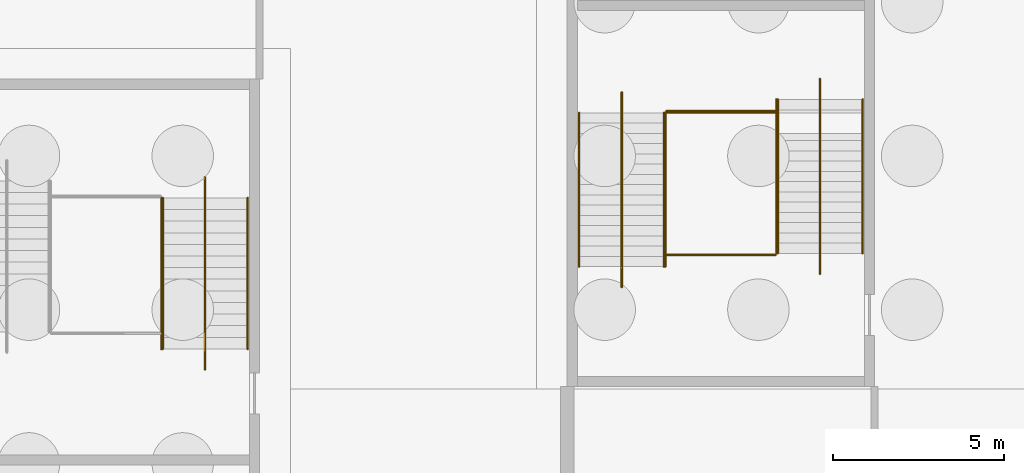
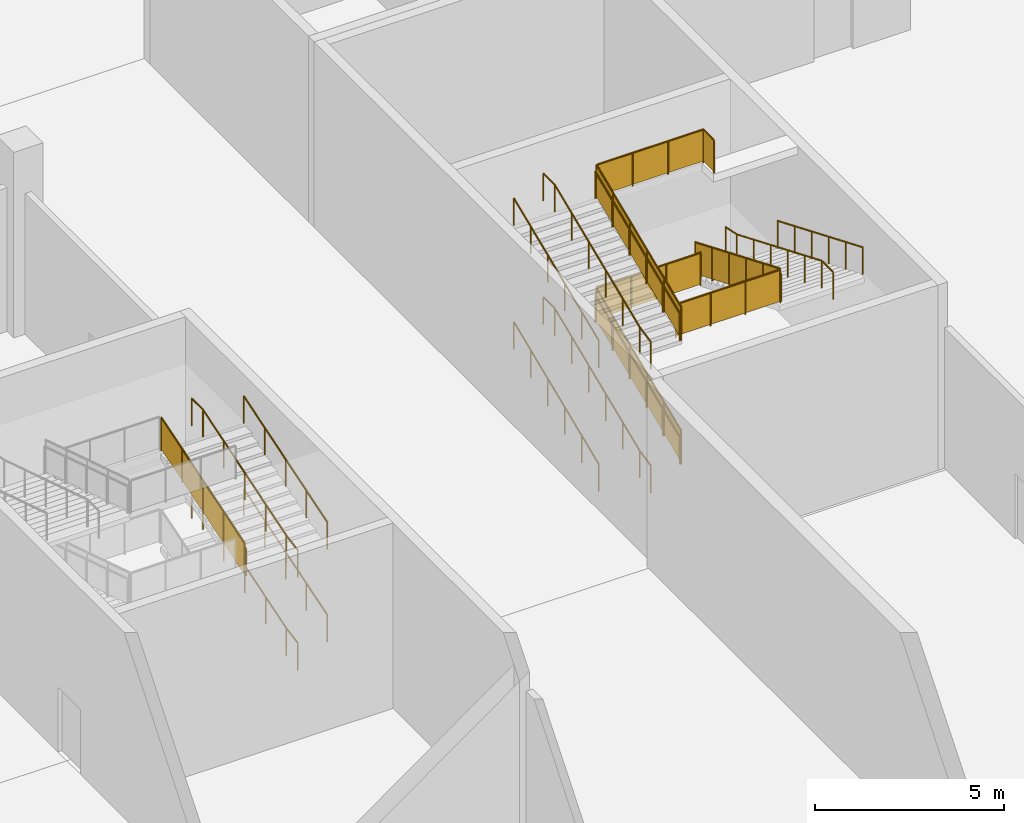
# One storey, part 31 of 42: 21 railings.
"""IFC4 building model written with IfcOpenShell, lengths in metres."""

from ifc_helpers import new_model, si_unit, direction, frame, origin, origin_2d, place, context, subcontext, project, spatial, polyline, circle, outline, extrude, material, type_object, element, save


model = new_model("IFC4")

# Units and contexts
model_context = context("Model", 3, precision=1e-05, world=origin(), true_north=direction((0.0, 1.0)))
body_context = subcontext(model_context, "Body", "Model", "MODEL_VIEW")
ifc_project = project(units=[si_unit("LENGTHUNIT", "METRE"), si_unit("AREAUNIT", "SQUARE_METRE"), si_unit("VOLUMEUNIT", "CUBIC_METRE"), si_unit("PLANEANGLEUNIT", "RADIAN"), si_unit("MASSUNIT", "GRAM", prefix="KILO")], contexts=[model_context])

# Site, building, storey
site_placement = place(None, origin())
site = spatial("IfcSite", under=ifc_project, at=site_placement, CompositionType="ELEMENT")
building_placement = place(site_placement, origin())
building = spatial("IfcBuilding", under=site, at=building_placement, Name="Silverbay Arena", CompositionType="ELEMENT")
storey_placement = place(building_placement, frame((0.0, 0.0, -6.0)))
storey = spatial("IfcBuildingStorey", under=building, at=storey_placement, Name="B1", CompositionType="ELEMENT", Elevation=-6.0)

# Railings
ifc_material_1 = material(Name="Stainless steel", Category="steel")
railing_type_1 = type_object("IfcRailingType", Name="Stair guard 1100", PredefinedType="GUARDRAIL", material=ifc_material_1)
railing_1_placement = place(storey_placement, frame((60.125, 100.100830078125, 3.107177734375)))
element("IfcRailing", 1, at=railing_1_placement, inside=storey, type_object=railing_type_1, Name="Stair ST-W2 B1 to L00 flight 3 guard right", PredefinedType="GUARDRAIL", context=body_context, shape_type="SweptSolid", body=[
    extrude(circle(Radius=0.02392578125, at=origin_2d()), frame((0.0, 0.0, 1.076171875), z_axis=(0.0, 0.953769580967, 0.300538826811), x_axis=(-1.0, 0.0, 0.0)), (0.0, 0.0, 1.0), 4.634521484375),
    extrude(outline(polyline([(-0.008056640625, 0.04736328125), (1.113037109375, 0.400634765625), (1.113037109375, 1.40380859375), (-0.008056640625, 1.050537109375), (-0.008056640625, 0.04736328125)])), frame((-0.0029296875, 0.0, 0.0), z_axis=(1.0, 0.0, 0.0), x_axis=(0.0, 1.0, 0.0)), (0.0, 0.0, 1.0), 0.006103515625),
    extrude(outline(polyline([(-0.008056640625, 0.395751953125), (1.113037109375, 0.7490234375), (1.113037109375, 1.751953125), (-0.008056640625, 1.398681640625), (-0.008056640625, 0.395751953125)])), frame((-0.0029296875, 1.10498046875, 0.0), z_axis=(1.0, 0.0, 0.0), x_axis=(0.0, 1.0, 0.0)), (0.0, 0.0, 1.0), 0.006103515625),
    extrude(outline(polyline([(-0.008056640625, 0.743896484375), (1.113037109375, 1.09716796875), (1.113037109375, 2.10009765625), (-0.008056640625, 1.746826171875), (-0.008056640625, 0.743896484375)])), frame((-0.0029296875, 2.2099609375, 0.0), z_axis=(1.0, 0.0, 0.0), x_axis=(0.0, 1.0, 0.0)), (0.0, 0.0, 1.0), 0.006103515625),
    extrude(outline(polyline([(-0.008056640625, 1.092041015625), (1.113037109375, 1.4453125), (1.113037109375, 2.4482421875), (-0.008056640625, 2.09521484375), (-0.008056640625, 1.092041015625)])), frame((-0.0029296875, 3.315185546875, 0.0), z_axis=(1.0, 0.0, 0.0), x_axis=(0.0, 1.0, 0.0)), (0.0, 0.0, 1.0), 0.006103515625),
    extrude(circle(Radius=0.02099609375, at=origin_2d()), origin(), (0.0, 0.0, 1.0), 1.052001953125),
    extrude(circle(Radius=0.02099609375, at=origin_2d()), frame((0.0, 1.10498046875, 0.34814453125)), (0.0, 0.0, 1.0), 1.052001953125),
    extrude(circle(Radius=0.02099609375, at=origin_2d()), frame((0.0, 2.2099609375, 0.6962890625)), (0.0, 0.0, 1.0), 1.052001953125),
    extrude(circle(Radius=0.02099609375, at=origin_2d()), frame((0.0, 3.315185546875, 1.044677734375)), (0.0, 0.0, 1.0), 1.052001953125),
    extrude(circle(Radius=0.02099609375, at=origin_2d()), frame((0.0, 4.420166015625, 1.392822265625)), (0.0, 0.0, 1.0), 1.052001953125),
])
railing_2_placement = place(storey_placement, frame((74.875, 102.510009765625, 0.125)))
element("IfcRailing", 2, at=railing_2_placement, inside=storey, type_object=railing_type_1, Name="Stair ST-NW2 B1 to L00 flight 1 guard left", PredefinedType="GUARDRAIL", context=body_context, shape_type="SweptSolid", body=[
    extrude(circle(Radius=0.02392578125, at=origin_2d()), frame((0.0, 0.0, 1.076171875), z_axis=(0.0, 0.923076923077, 0.384615384615), x_axis=(-1.0, 0.0, 0.0)), (0.0, 0.0, 1.0), 4.875),
    extrude(outline(polyline([(-0.008056640625, 0.046630859375), (0.907958984375, 0.42822265625), (0.907958984375, 1.431396484375), (-0.008056640625, 1.049560546875), (-0.008056640625, 0.046630859375)])), frame((-0.0029296875, 0.0, 0.0), z_axis=(1.0, 0.0, 0.0), x_axis=(0.0, 1.0, 0.0)), (0.0, 0.0, 1.0), 0.006103515625),
    extrude(outline(polyline([(-0.008056640625, 0.421630859375), (0.907958984375, 0.80322265625), (0.907958984375, 1.806396484375), (-0.008056640625, 1.424560546875), (-0.008056640625, 0.421630859375)])), frame((-0.0029296875, 0.89990234375, 0.0), z_axis=(1.0, 0.0, 0.0), x_axis=(0.0, 1.0, 0.0)), (0.0, 0.0, 1.0), 0.006103515625),
    extrude(outline(polyline([(-0.008056640625, 0.796630859375), (0.907958984375, 1.17822265625), (0.907958984375, 2.181396484375), (-0.008056640625, 1.799560546875), (-0.008056640625, 0.796630859375)])), frame((-0.0029296875, 1.800048828125, 0.0), z_axis=(1.0, 0.0, 0.0), x_axis=(0.0, 1.0, 0.0)), (0.0, 0.0, 1.0), 0.006103515625),
    extrude(outline(polyline([(-0.008056640625, 1.171630859375), (0.907958984375, 1.55322265625), (0.907958984375, 2.556396484375), (-0.008056640625, 2.174560546875), (-0.008056640625, 1.171630859375)])), frame((-0.0029296875, 2.699951171875, 0.0), z_axis=(1.0, 0.0, 0.0), x_axis=(0.0, 1.0, 0.0)), (0.0, 0.0, 1.0), 0.006103515625),
    extrude(outline(polyline([(-0.008056640625, 1.546630859375), (0.907958984375, 1.92822265625), (0.907958984375, 2.931396484375), (-0.008056640625, 2.549560546875), (-0.008056640625, 1.546630859375)])), frame((-0.0029296875, 3.60009765625, 0.0), z_axis=(1.0, 0.0, 0.0), x_axis=(0.0, 1.0, 0.0)), (0.0, 0.0, 1.0), 0.006103515625),
    extrude(circle(Radius=0.02099609375, at=origin_2d()), origin(), (0.0, 0.0, 1.0), 1.052001953125),
    extrude(circle(Radius=0.02099609375, at=origin_2d()), frame((0.0, 0.89990234375, 0.375)), (0.0, 0.0, 1.0), 1.052001953125),
    extrude(circle(Radius=0.02099609375, at=origin_2d()), frame((0.0, 1.800048828125, 0.75)), (0.0, 0.0, 1.0), 1.052001953125),
    extrude(circle(Radius=0.02099609375, at=origin_2d()), frame((0.0, 2.699951171875, 1.125)), (0.0, 0.0, 1.0), 1.052001953125),
    extrude(circle(Radius=0.02099609375, at=origin_2d()), frame((0.0, 3.60009765625, 1.5)), (0.0, 0.0, 1.0), 1.052001953125),
    extrude(circle(Radius=0.02099609375, at=origin_2d()), frame((0.0, 4.5, 1.875)), (0.0, 0.0, 1.0), 1.052001953125),
])
railing_3_placement = place(storey_placement, frame((78.125, 107.39990234375, 2.125)))
element("IfcRailing", 3, at=railing_3_placement, inside=storey, type_object=railing_type_1, Name="Stair ST-NW2 B1 to L00 flight 2 guard right", PredefinedType="GUARDRAIL", context=body_context, shape_type="SweptSolid", body=[
    extrude(circle(Radius=0.02392578125, at=origin_2d()), frame((0.0, 0.0, 1.076171875), z_axis=(0.0, -0.923076923077, 0.384615384615), x_axis=(1.0, 0.0, 0.0)), (0.0, 0.0, 1.0), 4.875),
    extrude(outline(polyline([(-0.008056640625, 0.046630859375), (0.907958984375, 0.42822265625), (0.907958984375, 1.431396484375), (-0.008056640625, 1.049560546875), (-0.008056640625, 0.046630859375)])), frame((0.0029296875, 0.0, 0.0), z_axis=(-1.0, 0.0, 0.0), x_axis=(0.0, -1.0, 0.0)), (0.0, 0.0, 1.0), 0.006103515625),
    extrude(outline(polyline([(-0.008056640625, 0.421630859375), (0.907958984375, 0.80322265625), (0.907958984375, 1.806396484375), (-0.008056640625, 1.424560546875), (-0.008056640625, 0.421630859375)])), frame((0.0029296875, -0.89990234375, 0.0), z_axis=(-1.0, 0.0, 0.0), x_axis=(0.0, -1.0, 0.0)), (0.0, 0.0, 1.0), 0.006103515625),
    extrude(outline(polyline([(-0.008056640625, 0.796630859375), (0.907958984375, 1.17822265625), (0.907958984375, 2.181396484375), (-0.008056640625, 1.799560546875), (-0.008056640625, 0.796630859375)])), frame((0.0029296875, -1.800048828125, 0.0), z_axis=(-1.0, 0.0, 0.0), x_axis=(0.0, -1.0, 0.0)), (0.0, 0.0, 1.0), 0.006103515625),
    extrude(outline(polyline([(-0.008056640625, 1.171630859375), (0.907958984375, 1.55322265625), (0.907958984375, 2.556396484375), (-0.008056640625, 2.174560546875), (-0.008056640625, 1.171630859375)])), frame((0.0029296875, -2.699951171875, 0.0), z_axis=(-1.0, 0.0, 0.0), x_axis=(0.0, -1.0, 0.0)), (0.0, 0.0, 1.0), 0.006103515625),
    extrude(outline(polyline([(-0.008056640625, 1.546630859375), (0.907958984375, 1.92822265625), (0.907958984375, 2.931396484375), (-0.008056640625, 2.549560546875), (-0.008056640625, 1.546630859375)])), frame((0.0029296875, -3.60009765625, 0.0), z_axis=(-1.0, 0.0, 0.0), x_axis=(0.0, -1.0, 0.0)), (0.0, 0.0, 1.0), 0.006103515625),
    extrude(circle(Radius=0.02099609375, at=origin_2d()), origin(), (0.0, 0.0, 1.0), 1.052001953125),
    extrude(circle(Radius=0.02099609375, at=origin_2d()), frame((0.0, -0.89990234375, 0.375)), (0.0, 0.0, 1.0), 1.052001953125),
    extrude(circle(Radius=0.02099609375, at=origin_2d()), frame((0.0, -1.800048828125, 0.75)), (0.0, 0.0, 1.0), 1.052001953125),
    extrude(circle(Radius=0.02099609375, at=origin_2d()), frame((0.0, -2.699951171875, 1.125)), (0.0, 0.0, 1.0), 1.052001953125),
    extrude(circle(Radius=0.02099609375, at=origin_2d()), frame((0.0, -3.60009765625, 1.5)), (0.0, 0.0, 1.0), 1.052001953125),
    extrude(circle(Radius=0.02099609375, at=origin_2d()), frame((0.0, -4.5, 1.875)), (0.0, 0.0, 1.0), 1.052001953125),
])
railing_4_placement = place(storey_placement, frame((74.875, 102.510009765625, 4.125)))
element("IfcRailing", 4, at=railing_4_placement, inside=storey, type_object=railing_type_1, Name="Stair ST-NW2 B1 to L00 flight 3 guard left", PredefinedType="GUARDRAIL", context=body_context, shape_type="SweptSolid", body=[
    extrude(circle(Radius=0.02392578125, at=origin_2d()), frame((0.0, 0.0, 1.076171875), z_axis=(0.0, 0.923076923077, 0.384615384615), x_axis=(-1.0, 0.0, 0.0)), (0.0, 0.0, 1.0), 4.875),
    extrude(outline(polyline([(-0.008056640625, 0.046630859375), (0.907958984375, 0.42822265625), (0.907958984375, 1.431396484375), (-0.008056640625, 1.049560546875), (-0.008056640625, 0.046630859375)])), frame((-0.0029296875, 0.0, 0.0), z_axis=(1.0, 0.0, 0.0), x_axis=(0.0, 1.0, 0.0)), (0.0, 0.0, 1.0), 0.006103515625),
    extrude(outline(polyline([(-0.008056640625, 0.421630859375), (0.907958984375, 0.80322265625), (0.907958984375, 1.806396484375), (-0.008056640625, 1.424560546875), (-0.008056640625, 0.421630859375)])), frame((-0.0029296875, 0.89990234375, 0.0), z_axis=(1.0, 0.0, 0.0), x_axis=(0.0, 1.0, 0.0)), (0.0, 0.0, 1.0), 0.006103515625),
    extrude(outline(polyline([(-0.008056640625, 0.796630859375), (0.907958984375, 1.17822265625), (0.907958984375, 2.181396484375), (-0.008056640625, 1.799560546875), (-0.008056640625, 0.796630859375)])), frame((-0.0029296875, 1.800048828125, 0.0), z_axis=(1.0, 0.0, 0.0), x_axis=(0.0, 1.0, 0.0)), (0.0, 0.0, 1.0), 0.006103515625),
    extrude(outline(polyline([(-0.008056640625, 1.171630859375), (0.907958984375, 1.55322265625), (0.907958984375, 2.556396484375), (-0.008056640625, 2.174560546875), (-0.008056640625, 1.171630859375)])), frame((-0.0029296875, 2.699951171875, 0.0), z_axis=(1.0, 0.0, 0.0), x_axis=(0.0, 1.0, 0.0)), (0.0, 0.0, 1.0), 0.006103515625),
    extrude(outline(polyline([(-0.008056640625, 1.546630859375), (0.907958984375, 1.92822265625), (0.907958984375, 2.931396484375), (-0.008056640625, 2.549560546875), (-0.008056640625, 1.546630859375)])), frame((-0.0029296875, 3.60009765625, 0.0), z_axis=(1.0, 0.0, 0.0), x_axis=(0.0, 1.0, 0.0)), (0.0, 0.0, 1.0), 0.006103515625),
    extrude(circle(Radius=0.02099609375, at=origin_2d()), origin(), (0.0, 0.0, 1.0), 1.052001953125),
    extrude(circle(Radius=0.02099609375, at=origin_2d()), frame((0.0, 0.89990234375, 0.375)), (0.0, 0.0, 1.0), 1.052001953125),
    extrude(circle(Radius=0.02099609375, at=origin_2d()), frame((0.0, 1.800048828125, 0.75)), (0.0, 0.0, 1.0), 1.052001953125),
    extrude(circle(Radius=0.02099609375, at=origin_2d()), frame((0.0, 2.699951171875, 1.125)), (0.0, 0.0, 1.0), 1.052001953125),
    extrude(circle(Radius=0.02099609375, at=origin_2d()), frame((0.0, 3.60009765625, 1.5)), (0.0, 0.0, 1.0), 1.052001953125),
    extrude(circle(Radius=0.02099609375, at=origin_2d()), frame((0.0, 4.5, 1.875)), (0.0, 0.0, 1.0), 1.052001953125),
])
for number, where, name in (
    (5, (78.10009765625, 107.06005859375, 2.0), "Stair ST-NW2 B1 to L00 landing 1 guard"),
    (6, (78.10009765625, 102.85009765625, 4.0), "Stair ST-NW2 B1 to L00 landing 2 guard"),
):
    element("IfcRailing", number, at=place(storey_placement, frame(where)), inside=storey, type_object=railing_type_1, Name=name, PredefinedType="GUARDRAIL", context=body_context, shape_type="SweptSolid", body=[
        extrude(circle(Radius=0.02392578125, at=origin_2d()), frame((0.0, 0.0, 1.076171875), z_axis=(-1.0, 0.0, 0.0), x_axis=(0.0, -1.0, 0.0)), (0.0, 0.0, 1.0), 3.2001953125),
        extrude(outline(polyline([(-0.008056640625, 0.050048828125), (1.07470703125, 0.050048828125), (1.07470703125, 1.052978515625), (-0.008056640625, 1.052978515625), (-0.008056640625, 0.050048828125)])), frame((0.0, -0.0029296875, 0.0), z_axis=(0.0, 1.0, 0.0), x_axis=(-1.0, 0.0, 0.0)), (0.0, 0.0, 1.0), 0.006103515625),
        extrude(outline(polyline([(-0.008056640625, 0.050048828125), (1.07470703125, 0.050048828125), (1.07470703125, 1.052978515625), (-0.008056640625, 1.052978515625), (-0.008056640625, 0.050048828125)])), frame((-1.066650390625, -0.0029296875, 0.0), z_axis=(0.0, 1.0, 0.0), x_axis=(-1.0, 0.0, 0.0)), (0.0, 0.0, 1.0), 0.006103515625),
        extrude(outline(polyline([(-0.008056640625, 0.050048828125), (1.07470703125, 0.050048828125), (1.07470703125, 1.052978515625), (-0.008056640625, 1.052978515625), (-0.008056640625, 0.050048828125)])), frame((-2.133544921875, -0.0029296875, 0.0), z_axis=(0.0, 1.0, 0.0), x_axis=(-1.0, 0.0, 0.0)), (0.0, 0.0, 1.0), 0.006103515625),
        extrude(circle(Radius=0.02099609375, at=origin_2d()), origin(), (0.0, 0.0, 1.0), 1.052001953125),
        extrude(circle(Radius=0.02099609375, at=origin_2d()), frame((-1.066650390625, 0.0, 0.0)), (0.0, 0.0, 1.0), 1.052001953125),
        extrude(circle(Radius=0.02099609375, at=origin_2d()), frame((-2.133544921875, 0.0, 0.0)), (0.0, 0.0, 1.0), 1.052001953125),
        extrude(circle(Radius=0.02099609375, at=origin_2d()), frame((-3.2001953125, 0.0, 0.0)), (0.0, 0.0, 1.0), 1.052001953125),
    ])
railing_5_placement = place(storey_placement, frame((78.14990234375, 106.449951171875, 6.0)))
element("IfcRailing", 7, at=railing_5_placement, inside=storey, type_object=railing_type_1, Name="Stair ST-NW2 B1 to L00 landing 3 guard", PredefinedType="GUARDRAIL", context=body_context, shape_type="SweptSolid", body=[
    extrude(circle(Radius=0.02392578125, at=origin_2d()), frame((0.0, 0.0, 1.076171875), z_axis=(0.0, 1.0, 0.0), x_axis=(-1.0, 0.0, 0.0)), (0.0, 0.0, 1.0), 0.56005859375),
    extrude(outline(polyline([(-0.008056640625, 0.050048828125), (0.568115234375, 0.050048828125), (0.568115234375, 1.052978515625), (-0.008056640625, 1.052978515625), (-0.008056640625, 0.050048828125)])), frame((-0.0029296875, 0.0, 0.0), z_axis=(1.0, 0.0, 0.0), x_axis=(0.0, 1.0, 0.0)), (0.0, 0.0, 1.0), 0.006103515625),
    extrude(circle(Radius=0.02392578125, at=origin_2d()), frame((0.0, 0.56005859375, 1.076171875), z_axis=(-1.0, 0.0, 0.0), x_axis=(0.0, -1.0, 0.0)), (0.0, 0.0, 1.0), 3.25),
    extrude(outline(polyline([(-0.008056640625, 0.050048828125), (1.09130859375, 0.050048828125), (1.09130859375, 1.052978515625), (-0.008056640625, 1.052978515625), (-0.008056640625, 0.050048828125)])), frame((0.0, 0.55712890625, 0.0), z_axis=(0.0, 1.0, 0.0), x_axis=(-1.0, 0.0, 0.0)), (0.0, 0.0, 1.0), 0.006103515625),
    extrude(outline(polyline([(-0.008056640625, 0.050048828125), (1.09130859375, 0.050048828125), (1.09130859375, 1.052978515625), (-0.008056640625, 1.052978515625), (-0.008056640625, 0.050048828125)])), frame((-1.083251953125, 0.55712890625, 0.0), z_axis=(0.0, 1.0, 0.0), x_axis=(-1.0, 0.0, 0.0)), (0.0, 0.0, 1.0), 0.006103515625),
    extrude(outline(polyline([(-0.008056640625, 0.050048828125), (1.09130859375, 0.050048828125), (1.09130859375, 1.052978515625), (-0.008056640625, 1.052978515625), (-0.008056640625, 0.050048828125)])), frame((-2.166748046875, 0.55712890625, 0.0), z_axis=(0.0, 1.0, 0.0), x_axis=(-1.0, 0.0, 0.0)), (0.0, 0.0, 1.0), 0.006103515625),
    extrude(circle(Radius=0.02099609375, at=origin_2d()), origin(), (0.0, 0.0, 1.0), 1.052001953125),
    extrude(circle(Radius=0.02099609375, at=origin_2d()), frame((0.0, 0.56005859375, 0.0)), (0.0, 0.0, 1.0), 1.052001953125),
    extrude(circle(Radius=0.02099609375, at=origin_2d()), frame((-1.083251953125, 0.56005859375, 0.0)), (0.0, 0.0, 1.0), 1.052001953125),
    extrude(circle(Radius=0.02099609375, at=origin_2d()), frame((-2.166748046875, 0.56005859375, 0.0)), (0.0, 0.0, 1.0), 1.052001953125),
    extrude(circle(Radius=0.02099609375, at=origin_2d()), frame((-3.25, 0.56005859375, 0.0)), (0.0, 0.0, 1.0), 1.052001953125),
])
ifc_material_2 = material(Name="Stainless steel", Category="steel")
railing_type_2 = type_object("IfcRailingType", Name="Stair handrail 900", PredefinedType="HANDRAIL", material=ifc_material_2)
railing_6_placement = place(storey_placement, frame((62.64990234375, 100.100830078125, 0.107177734375)))
element("IfcRailing", 8, at=railing_6_placement, inside=storey, type_object=railing_type_2, Name="Stair ST-W2 B1 to L00 flight 1 handrail left", PredefinedType="HANDRAIL", context=body_context, shape_type="SweptSolid", body=[
    extrude(circle(Radius=0.02392578125, at=origin_2d()), frame((0.0, 0.0, 0.8759765625), z_axis=(0.0, 0.953769580967, 0.300538826811), x_axis=(-1.0, 0.0, 0.0)), (0.0, 0.0, 1.0), 4.634521484375),
    extrude(circle(Radius=0.02099609375, at=origin_2d()), origin(), (0.0, 0.0, 1.0), 0.851806640625),
    extrude(circle(Radius=0.02099609375, at=origin_2d()), frame((0.0, 1.10498046875, 0.34814453125)), (0.0, 0.0, 1.0), 0.851806640625),
    extrude(circle(Radius=0.02099609375, at=origin_2d()), frame((0.0, 2.2099609375, 0.6962890625)), (0.0, 0.0, 1.0), 0.851806640625),
    extrude(circle(Radius=0.02099609375, at=origin_2d()), frame((0.0, 3.315185546875, 1.044677734375)), (0.0, 0.0, 1.0), 0.851806640625),
    extrude(circle(Radius=0.02099609375, at=origin_2d()), frame((0.0, 4.420166015625, 1.392822265625)), (0.0, 0.0, 1.0), 0.851806640625),
])
railing_7_placement = place(storey_placement, frame((61.39990234375, 99.5009765625, 0.0)))
element("IfcRailing", 9, at=railing_7_placement, inside=storey, type_object=railing_type_2, Name="Stair ST-W2 B1 to L00 flight 1 central handrail", PredefinedType="HANDRAIL", context=body_context, shape_type="SweptSolid", body=[
    extrude(circle(Radius=0.02392578125, at=origin_2d()), frame((0.0, 0.0, 0.8759765625), z_axis=(0.0, 0.984410237054, 0.175887706173), x_axis=(-1.0, 0.0, 0.0)), (0.0, 0.0, 1.0), 0.609375),
    extrude(circle(Radius=0.02392578125, at=origin_2d()), frame((0.0, 0.599853515625, 0.98291015625), z_axis=(0.0, 0.953769580967, 0.300538826811), x_axis=(-1.0, 0.0, 0.0)), (0.0, 0.0, 1.0), 4.634521484375),
    extrude(circle(Radius=0.02392578125, at=origin_2d()), frame((0.0, 5.02001953125, 2.3759765625), z_axis=(0.0, 1.0, 0.0), x_axis=(-1.0, 0.0, 0.0)), (0.0, 0.0, 1.0), 0.599853515625),
    extrude(circle(Radius=0.02099609375, at=origin_2d()), origin(), (0.0, 0.0, 1.0), 0.851806640625),
    extrude(circle(Radius=0.02099609375, at=origin_2d()), frame((0.0, 0.599853515625, 0.107177734375)), (0.0, 0.0, 1.0), 0.851806640625),
    extrude(circle(Radius=0.02099609375, at=origin_2d()), frame((0.0, 1.704833984375, 0.455322265625)), (0.0, 0.0, 1.0), 0.851806640625),
    extrude(circle(Radius=0.02099609375, at=origin_2d()), frame((0.0, 2.81005859375, 0.8037109375)), (0.0, 0.0, 1.0), 0.851806640625),
    extrude(circle(Radius=0.02099609375, at=origin_2d()), frame((0.0, 3.9150390625, 1.15185546875)), (0.0, 0.0, 1.0), 0.851806640625),
    extrude(circle(Radius=0.02099609375, at=origin_2d()), frame((0.0, 5.02001953125, 1.5)), (0.0, 0.0, 1.0), 0.851806640625),
    extrude(circle(Radius=0.02099609375, at=origin_2d()), frame((0.0, 5.619873046875, 1.5)), (0.0, 0.0, 1.0), 0.851806640625),
])
for number, where, name in (
    (10, (62.64990234375, 100.100830078125, 3.107177734375), "Stair ST-W2 B1 to L00 flight 3 handrail left"),
    (11, (60.1640625, 100.100830078125, 3.107177734375), "Stair ST-W2 B1 to L00 flight 3 handrail right"),
):
    element("IfcRailing", number, at=place(storey_placement, frame(where)), inside=storey, type_object=railing_type_2, Name=name, PredefinedType="HANDRAIL", context=body_context, shape_type="SweptSolid", body=[
        extrude(circle(Radius=0.02392578125, at=origin_2d()), frame((0.0, 0.0, 0.8759765625), z_axis=(0.0, 0.953769580967, 0.300538826811), x_axis=(-1.0, 0.0, 0.0)), (0.0, 0.0, 1.0), 4.634521484375),
        extrude(circle(Radius=0.02099609375, at=origin_2d()), origin(), (0.0, 0.0, 1.0), 0.851806640625),
        extrude(circle(Radius=0.02099609375, at=origin_2d()), frame((0.0, 1.10498046875, 0.34814453125)), (0.0, 0.0, 1.0), 0.851806640625),
        extrude(circle(Radius=0.02099609375, at=origin_2d()), frame((0.0, 2.2099609375, 0.6962890625)), (0.0, 0.0, 1.0), 0.851806640625),
        extrude(circle(Radius=0.02099609375, at=origin_2d()), frame((0.0, 3.315185546875, 1.044677734375)), (0.0, 0.0, 1.0), 0.851806640625),
        extrude(circle(Radius=0.02099609375, at=origin_2d()), frame((0.0, 4.420166015625, 1.392822265625)), (0.0, 0.0, 1.0), 0.851806640625),
    ])
railing_8_placement = place(storey_placement, frame((61.39990234375, 99.5009765625, 3.0)))
element("IfcRailing", 12, at=railing_8_placement, inside=storey, type_object=railing_type_2, Name="Stair ST-W2 B1 to L00 flight 3 central handrail", PredefinedType="HANDRAIL", context=body_context, shape_type="SweptSolid", body=[
    extrude(circle(Radius=0.02392578125, at=origin_2d()), frame((0.0, 0.0, 0.8759765625), z_axis=(0.0, 0.984410237054, 0.175887706173), x_axis=(-1.0, 0.0, 0.0)), (0.0, 0.0, 1.0), 0.609375),
    extrude(circle(Radius=0.02392578125, at=origin_2d()), frame((0.0, 0.599853515625, 0.98291015625), z_axis=(0.0, 0.953769580967, 0.300538826811), x_axis=(-1.0, 0.0, 0.0)), (0.0, 0.0, 1.0), 4.634521484375),
    extrude(circle(Radius=0.02392578125, at=origin_2d()), frame((0.0, 5.02001953125, 2.3759765625), z_axis=(0.0, 1.0, 0.0), x_axis=(-1.0, 0.0, 0.0)), (0.0, 0.0, 1.0), 0.599853515625),
    extrude(circle(Radius=0.02099609375, at=origin_2d()), origin(), (0.0, 0.0, 1.0), 0.851806640625),
    extrude(circle(Radius=0.02099609375, at=origin_2d()), frame((0.0, 0.599853515625, 0.107177734375)), (0.0, 0.0, 1.0), 0.851806640625),
    extrude(circle(Radius=0.02099609375, at=origin_2d()), frame((0.0, 1.704833984375, 0.455322265625)), (0.0, 0.0, 1.0), 0.851806640625),
    extrude(circle(Radius=0.02099609375, at=origin_2d()), frame((0.0, 2.81005859375, 0.8037109375)), (0.0, 0.0, 1.0), 0.851806640625),
    extrude(circle(Radius=0.02099609375, at=origin_2d()), frame((0.0, 3.9150390625, 1.15185546875)), (0.0, 0.0, 1.0), 0.851806640625),
    extrude(circle(Radius=0.02099609375, at=origin_2d()), frame((0.0, 5.02001953125, 1.5)), (0.0, 0.0, 1.0), 0.851806640625),
    extrude(circle(Radius=0.02099609375, at=origin_2d()), frame((0.0, 5.619873046875, 1.5)), (0.0, 0.0, 1.0), 0.851806640625),
])
for number, where, name in (
    (13, (74.8359375, 102.510009765625, 0.125), "Stair ST-NW2 B1 to L00 flight 1 handrail left"),
    (14, (72.35009765625, 102.510009765625, 0.125), "Stair ST-NW2 B1 to L00 flight 1 handrail right"),
):
    element("IfcRailing", number, at=place(storey_placement, frame(where)), inside=storey, type_object=railing_type_2, Name=name, PredefinedType="HANDRAIL", context=body_context, shape_type="SweptSolid", body=[
        extrude(circle(Radius=0.02392578125, at=origin_2d()), frame((0.0, 0.0, 0.8759765625), z_axis=(0.0, 0.923076923077, 0.384615384615), x_axis=(-1.0, 0.0, 0.0)), (0.0, 0.0, 1.0), 4.875),
        extrude(circle(Radius=0.02099609375, at=origin_2d()), origin(), (0.0, 0.0, 1.0), 0.851806640625),
        extrude(circle(Radius=0.02099609375, at=origin_2d()), frame((0.0, 0.89990234375, 0.375)), (0.0, 0.0, 1.0), 0.851806640625),
        extrude(circle(Radius=0.02099609375, at=origin_2d()), frame((0.0, 1.800048828125, 0.75)), (0.0, 0.0, 1.0), 0.851806640625),
        extrude(circle(Radius=0.02099609375, at=origin_2d()), frame((0.0, 2.699951171875, 1.125)), (0.0, 0.0, 1.0), 0.851806640625),
        extrude(circle(Radius=0.02099609375, at=origin_2d()), frame((0.0, 3.60009765625, 1.5)), (0.0, 0.0, 1.0), 0.851806640625),
        extrude(circle(Radius=0.02099609375, at=origin_2d()), frame((0.0, 4.5, 1.875)), (0.0, 0.0, 1.0), 0.851806640625),
    ])
railing_9_placement = place(storey_placement, frame((73.60009765625, 101.909912109375, 0.0)))
element("IfcRailing", 15, at=railing_9_placement, inside=storey, type_object=railing_type_2, Name="Stair ST-NW2 B1 to L00 flight 1 central handrail", PredefinedType="HANDRAIL", context=body_context, shape_type="SweptSolid", body=[
    extrude(circle(Radius=0.02392578125, at=origin_2d()), frame((0.0, 0.0, 0.8759765625), z_axis=(0.0, 0.978987046276, 0.203922444139), x_axis=(-1.0, 0.0, 0.0)), (0.0, 0.0, 1.0), 0.613037109375),
    extrude(circle(Radius=0.02392578125, at=origin_2d()), frame((0.0, 0.60009765625, 1.0009765625), z_axis=(0.0, 0.923076923077, 0.384615384615), x_axis=(-1.0, 0.0, 0.0)), (0.0, 0.0, 1.0), 4.875),
    extrude(circle(Radius=0.02392578125, at=origin_2d()), frame((0.0, 5.10009765625, 2.8759765625), z_axis=(0.0, 1.0, 0.0), x_axis=(-1.0, 0.0, 0.0)), (0.0, 0.0, 1.0), 0.60009765625),
    extrude(circle(Radius=0.02099609375, at=origin_2d()), origin(), (0.0, 0.0, 1.0), 0.851806640625),
    extrude(circle(Radius=0.02099609375, at=origin_2d()), frame((0.0, 0.60009765625, 0.125)), (0.0, 0.0, 1.0), 0.851806640625),
    extrude(circle(Radius=0.02099609375, at=origin_2d()), frame((0.0, 1.5, 0.5)), (0.0, 0.0, 1.0), 0.851806640625),
    extrude(circle(Radius=0.02099609375, at=origin_2d()), frame((0.0, 2.400146484375, 0.875)), (0.0, 0.0, 1.0), 0.851806640625),
    extrude(circle(Radius=0.02099609375, at=origin_2d()), frame((0.0, 3.300048828125, 1.25)), (0.0, 0.0, 1.0), 0.851806640625),
    extrude(circle(Radius=0.02099609375, at=origin_2d()), frame((0.0, 4.2001953125, 1.625)), (0.0, 0.0, 1.0), 0.851806640625),
    extrude(circle(Radius=0.02099609375, at=origin_2d()), frame((0.0, 5.10009765625, 2.0)), (0.0, 0.0, 1.0), 0.851806640625),
    extrude(circle(Radius=0.02099609375, at=origin_2d()), frame((0.0, 5.7001953125, 2.0)), (0.0, 0.0, 1.0), 0.851806640625),
])
for number, where, name in (
    (16, (80.64990234375, 107.39990234375, 2.125), "Stair ST-NW2 B1 to L00 flight 2 handrail left"),
    (17, (78.1640625, 107.39990234375, 2.125), "Stair ST-NW2 B1 to L00 flight 2 handrail right"),
):
    element("IfcRailing", number, at=place(storey_placement, frame(where)), inside=storey, type_object=railing_type_2, Name=name, PredefinedType="HANDRAIL", context=body_context, shape_type="SweptSolid", body=[
        extrude(circle(Radius=0.02392578125, at=origin_2d()), frame((0.0, 0.0, 0.8759765625), z_axis=(0.0, -0.923076923077, 0.384615384615), x_axis=(1.0, 0.0, 0.0)), (0.0, 0.0, 1.0), 4.875),
        extrude(circle(Radius=0.02099609375, at=origin_2d()), origin(), (0.0, 0.0, 1.0), 0.851806640625),
        extrude(circle(Radius=0.02099609375, at=origin_2d()), frame((0.0, -0.89990234375, 0.375)), (0.0, 0.0, 1.0), 0.851806640625),
        extrude(circle(Radius=0.02099609375, at=origin_2d()), frame((0.0, -1.800048828125, 0.75)), (0.0, 0.0, 1.0), 0.851806640625),
        extrude(circle(Radius=0.02099609375, at=origin_2d()), frame((0.0, -2.699951171875, 1.125)), (0.0, 0.0, 1.0), 0.851806640625),
        extrude(circle(Radius=0.02099609375, at=origin_2d()), frame((0.0, -3.60009765625, 1.5)), (0.0, 0.0, 1.0), 0.851806640625),
        extrude(circle(Radius=0.02099609375, at=origin_2d()), frame((0.0, -4.5, 1.875)), (0.0, 0.0, 1.0), 0.851806640625),
    ])
railing_10_placement = place(storey_placement, frame((79.39990234375, 108.0, 2.0)))
element("IfcRailing", 18, at=railing_10_placement, inside=storey, type_object=railing_type_2, Name="Stair ST-NW2 B1 to L00 flight 2 central handrail", PredefinedType="HANDRAIL", context=body_context, shape_type="SweptSolid", body=[
    extrude(circle(Radius=0.02392578125, at=origin_2d()), frame((0.0, 0.0, 0.8759765625), z_axis=(0.0, -0.978987046276, 0.203922444139), x_axis=(1.0, 0.0, 0.0)), (0.0, 0.0, 1.0), 0.613037109375),
    extrude(circle(Radius=0.02392578125, at=origin_2d()), frame((0.0, -0.60009765625, 1.0009765625), z_axis=(0.0, -0.923076923077, 0.384615384615), x_axis=(1.0, 0.0, 0.0)), (0.0, 0.0, 1.0), 4.875),
    extrude(circle(Radius=0.02392578125, at=origin_2d()), frame((0.0, -5.10009765625, 2.8759765625), z_axis=(0.0, -1.0, 0.0), x_axis=(1.0, 0.0, 0.0)), (0.0, 0.0, 1.0), 0.599853515625),
    extrude(circle(Radius=0.02099609375, at=origin_2d()), origin(), (0.0, 0.0, 1.0), 0.851806640625),
    extrude(circle(Radius=0.02099609375, at=origin_2d()), frame((0.0, -0.60009765625, 0.125)), (0.0, 0.0, 1.0), 0.851806640625),
    extrude(circle(Radius=0.02099609375, at=origin_2d()), frame((0.0, -1.5, 0.5)), (0.0, 0.0, 1.0), 0.851806640625),
    extrude(circle(Radius=0.02099609375, at=origin_2d()), frame((0.0, -2.400146484375, 0.875)), (0.0, 0.0, 1.0), 0.851806640625),
    extrude(circle(Radius=0.02099609375, at=origin_2d()), frame((0.0, -3.300048828125, 1.25)), (0.0, 0.0, 1.0), 0.851806640625),
    extrude(circle(Radius=0.02099609375, at=origin_2d()), frame((0.0, -4.2001953125, 1.625)), (0.0, 0.0, 1.0), 0.851806640625),
    extrude(circle(Radius=0.02099609375, at=origin_2d()), frame((0.0, -5.10009765625, 2.0)), (0.0, 0.0, 1.0), 0.851806640625),
    extrude(circle(Radius=0.02099609375, at=origin_2d()), frame((0.0, -5.699951171875, 2.0)), (0.0, 0.0, 1.0), 0.851806640625),
])
for number, where, name in (
    (19, (74.8359375, 102.510009765625, 4.125), "Stair ST-NW2 B1 to L00 flight 3 handrail left"),
    (20, (72.35009765625, 102.510009765625, 4.125), "Stair ST-NW2 B1 to L00 flight 3 handrail right"),
):
    element("IfcRailing", number, at=place(storey_placement, frame(where)), inside=storey, type_object=railing_type_2, Name=name, PredefinedType="HANDRAIL", context=body_context, shape_type="SweptSolid", body=[
        extrude(circle(Radius=0.02392578125, at=origin_2d()), frame((0.0, 0.0, 0.8759765625), z_axis=(0.0, 0.923076923077, 0.384615384615), x_axis=(-1.0, 0.0, 0.0)), (0.0, 0.0, 1.0), 4.875),
        extrude(circle(Radius=0.02099609375, at=origin_2d()), origin(), (0.0, 0.0, 1.0), 0.851806640625),
        extrude(circle(Radius=0.02099609375, at=origin_2d()), frame((0.0, 0.89990234375, 0.375)), (0.0, 0.0, 1.0), 0.851806640625),
        extrude(circle(Radius=0.02099609375, at=origin_2d()), frame((0.0, 1.800048828125, 0.75)), (0.0, 0.0, 1.0), 0.851806640625),
        extrude(circle(Radius=0.02099609375, at=origin_2d()), frame((0.0, 2.699951171875, 1.125)), (0.0, 0.0, 1.0), 0.851806640625),
        extrude(circle(Radius=0.02099609375, at=origin_2d()), frame((0.0, 3.60009765625, 1.5)), (0.0, 0.0, 1.0), 0.851806640625),
        extrude(circle(Radius=0.02099609375, at=origin_2d()), frame((0.0, 4.5, 1.875)), (0.0, 0.0, 1.0), 0.851806640625),
    ])
railing_11_placement = place(storey_placement, frame((73.60009765625, 101.909912109375, 4.0)))
element("IfcRailing", 21, at=railing_11_placement, inside=storey, type_object=railing_type_2, Name="Stair ST-NW2 B1 to L00 flight 3 central handrail", PredefinedType="HANDRAIL", context=body_context, shape_type="SweptSolid", body=[
    extrude(circle(Radius=0.02392578125, at=origin_2d()), frame((0.0, 0.0, 0.8759765625), z_axis=(0.0, 0.978987046276, 0.203922444139), x_axis=(-1.0, 0.0, 0.0)), (0.0, 0.0, 1.0), 0.613037109375),
    extrude(circle(Radius=0.02392578125, at=origin_2d()), frame((0.0, 0.60009765625, 1.0009765625), z_axis=(0.0, 0.923076923077, 0.384615384615), x_axis=(-1.0, 0.0, 0.0)), (0.0, 0.0, 1.0), 4.875),
    extrude(circle(Radius=0.02392578125, at=origin_2d()), frame((0.0, 5.10009765625, 2.8759765625), z_axis=(0.0, 1.0, 0.0), x_axis=(-1.0, 0.0, 0.0)), (0.0, 0.0, 1.0), 0.60009765625),
    extrude(circle(Radius=0.02099609375, at=origin_2d()), origin(), (0.0, 0.0, 1.0), 0.851806640625),
    extrude(circle(Radius=0.02099609375, at=origin_2d()), frame((0.0, 0.60009765625, 0.125)), (0.0, 0.0, 1.0), 0.851806640625),
    extrude(circle(Radius=0.02099609375, at=origin_2d()), frame((0.0, 1.5, 0.5)), (0.0, 0.0, 1.0), 0.851806640625),
    extrude(circle(Radius=0.02099609375, at=origin_2d()), frame((0.0, 2.400146484375, 0.875)), (0.0, 0.0, 1.0), 0.851806640625),
    extrude(circle(Radius=0.02099609375, at=origin_2d()), frame((0.0, 3.300048828125, 1.25)), (0.0, 0.0, 1.0), 0.851806640625),
    extrude(circle(Radius=0.02099609375, at=origin_2d()), frame((0.0, 4.2001953125, 1.625)), (0.0, 0.0, 1.0), 0.851806640625),
    extrude(circle(Radius=0.02099609375, at=origin_2d()), frame((0.0, 5.10009765625, 2.0)), (0.0, 0.0, 1.0), 0.851806640625),
    extrude(circle(Radius=0.02099609375, at=origin_2d()), frame((0.0, 5.7001953125, 2.0)), (0.0, 0.0, 1.0), 0.851806640625),
])

save(model, "model.ifc")
